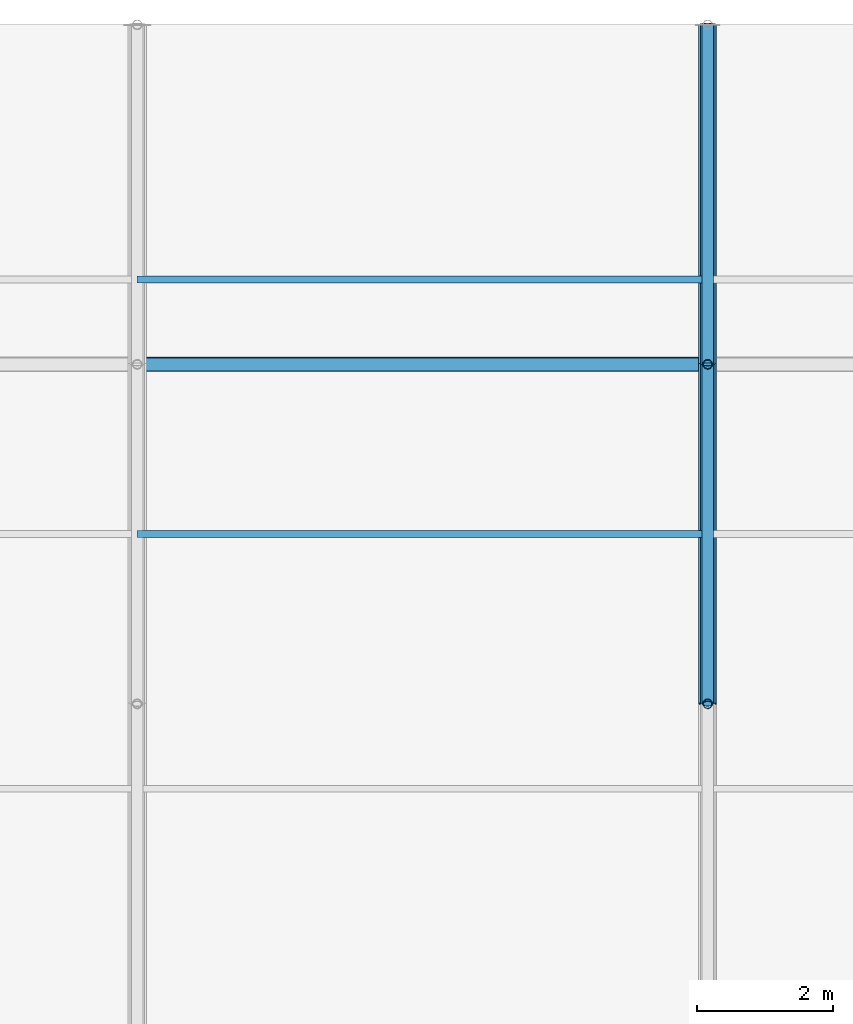
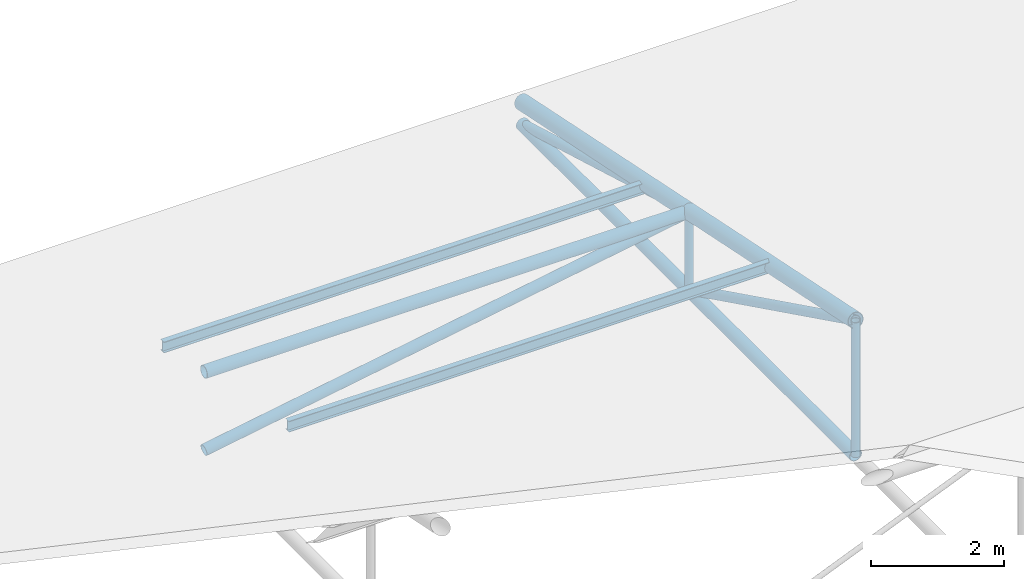
# One storey, part 49 of 194: 10 members, 2 beams.
"""IFC4 building model written with IfcOpenShell, lengths in metres."""

from ifc_helpers import new_model, si_unit, direction, frame, origin, origin_2d, place, context, subcontext, project, spatial, hollow_circle, i_section, extrude, material, material_profile, profile_set, type_object, element, save


model = new_model("IFC4")

# Units and contexts
model_context = context("Model", 3, precision=1e-05, world=origin(), true_north=direction((0.0, 1.0)))
body_context = subcontext(model_context, "Body", "Model", "MODEL_VIEW")
ifc_project = project(units=[si_unit("LENGTHUNIT", "METRE"), si_unit("AREAUNIT", "SQUARE_METRE"), si_unit("VOLUMEUNIT", "CUBIC_METRE"), si_unit("PLANEANGLEUNIT", "RADIAN"), si_unit("MASSUNIT", "GRAM", prefix="KILO")], contexts=[model_context])

# Site, building, storey
site_placement = place(None, origin())
site = spatial("IfcSite", under=ifc_project, at=site_placement, CompositionType="ELEMENT")
building_placement = place(site_placement, origin())
building = spatial("IfcBuilding", under=site, at=building_placement, Name="Kazenagashi Tramway Depot", CompositionType="ELEMENT")
storey_placement = place(building_placement, frame((0.0, 0.0, 23.7)))
storey = spatial("IfcBuildingStorey", under=building, at=storey_placement, Name="ROOF", CompositionType="ELEMENT", Elevation=23.7)

# Beams
ifc_material_1 = material(Name="Steel SN400B", Category="steel")
ifc_material_profile_1 = material_profile(ifc_material_1, i_section(OverallWidth=0.1, OverallDepth=0.2, WebThickness=0.0055, FlangeThickness=0.008, at=origin_2d()), Name="H-200x100x5.5x8")
ifc_profile_set_1 = profile_set([ifc_material_profile_1], Name="Steel SN400B")
beam_type = type_object("IfcBeamType", Name="PR-01", PredefinedType="USERDEFINED", material=ifc_profile_set_1)
for number, where, z_axis, x_axis, name in (
    (1, (78.4, 122.5, -12.13), (1.0, 0.0, 0.0), (0.0, 1.0, 0.0), "Beam PR-01 BM-2202"),
    (2, (78.4, 126.25, -12.955), (1.0, 0.0, 0.0), (0.0, 1.0, 0.0), "Beam PR-01 BM-2220"),
):
    element("IfcBeam", number, at=place(storey_placement, frame(where, z_axis=z_axis, x_axis=x_axis)), inside=storey, type_object=beam_type, Name=name, ObjectType="PURLIN", PredefinedType="USERDEFINED", context=body_context, shape_type="SweptSolid", body=[
        extrude(i_section(OverallWidth=0.1, OverallDepth=0.2, WebThickness=0.0055, FlangeThickness=0.008, at=origin_2d()), origin(), (0.0, 0.0, 1.0), 8.4),
    ])

# Members
ifc_material_2 = material(Name="Steel STK490", Category="steel")
ifc_material_profile_2 = material_profile(ifc_material_2, hollow_circle(Radius=0.1337, WallThickness=0.0093, at=origin_2d()), Name="CHS-267.4x9.3")
ifc_profile_set_2 = profile_set([ifc_material_profile_2], Name="Steel STK490")
member_type_1 = type_object("IfcMemberType", Name="TC-01", PredefinedType="CHORD", material=ifc_profile_set_2)
member_1_placement = place(storey_placement, frame((86.8, 120.0, -11.633), z_axis=(0.0, 0.979279174591, -0.202514933305), x_axis=(-1.0, 0.0, 0.0)))
element("IfcMember", 3, at=member_1_placement, inside=storey, type_object=member_type_1, Name="Tubular Space Frame TC-01 MEM-0349", PredefinedType="CHORD", context=body_context, shape_type="SweptSolid", body=[
    extrude(hollow_circle(Radius=0.1337, WallThickness=0.0093, at=origin_2d()), origin(), (0.0, 0.0, 1.0), 5.105796),
])
member_2_placement = place(storey_placement, frame((86.8, 125.0, -12.667), z_axis=(0.0, 0.979317999984, -0.202327098797), x_axis=(-1.0, 0.0, 0.0)))
element("IfcMember", 4, at=member_2_placement, inside=storey, type_object=member_type_1, Name="Tubular Space Frame TC-01 MEM-0352", PredefinedType="CHORD", context=body_context, shape_type="SweptSolid", body=[
    extrude(hollow_circle(Radius=0.1337, WallThickness=0.0093, at=origin_2d()), origin(), (0.0, 0.0, 1.0), 5.105594),
])
ifc_material_profile_3 = material_profile(ifc_material_2, hollow_circle(Radius=0.10815, WallThickness=0.0082, at=origin_2d()), Name="CHS-216.3x8.2")
ifc_profile_set_3 = profile_set([ifc_material_profile_3], Name="Steel STK490")
member_type_2 = type_object("IfcMemberType", Name="TC-02", PredefinedType="CHORD", material=ifc_profile_set_3)
member_3_placement = place(storey_placement, frame((78.4, 125.0, -12.667), z_axis=(1.0, 0.0, 0.0), x_axis=(0.0, 1.0, 0.0)))
element("IfcMember", 5, at=member_3_placement, inside=storey, type_object=member_type_2, Name="Tubular Space Frame TC-02 MEM-0304", PredefinedType="CHORD", context=body_context, shape_type="SweptSolid", body=[
    extrude(hollow_circle(Radius=0.10815, WallThickness=0.0082, at=origin_2d()), origin(), (0.0, 0.0, 1.0), 8.4),
])
for number, where, z_axis, x_axis, name in (
    (6, (86.8, 120.0, -14.1), (0.0, 1.0, 0.0), (-1.0, 0.0, 0.0), "Tubular Space Frame TC-02 MEM-0350"),
    (7, (86.8, 125.0, -14.1), (0.0, 1.0, 0.0), (-1.0, 0.0, 0.0), "Tubular Space Frame TC-02 MEM-0353"),
):
    element("IfcMember", number, at=place(storey_placement, frame(where, z_axis=z_axis, x_axis=x_axis)), inside=storey, type_object=member_type_2, Name=name, PredefinedType="CHORD", context=body_context, shape_type="SweptSolid", body=[
        extrude(hollow_circle(Radius=0.10815, WallThickness=0.0082, at=origin_2d()), origin(), (0.0, 0.0, 1.0), 5.0),
    ])
ifc_material_profile_4 = material_profile(ifc_material_2, hollow_circle(Radius=0.0826, WallThickness=0.0071, at=origin_2d()), Name="CHS-165.2x7.1")
ifc_profile_set_4 = profile_set([ifc_material_profile_4], Name="Steel STK490")
member_type_3 = type_object("IfcMemberType", Name="TS-01", PredefinedType="STRUT", material=ifc_profile_set_4)
member_4_placement = place(storey_placement, frame((86.8, 120.0, -11.633), z_axis=(0.0, 0.896782162482, -0.442472318969), x_axis=(-1.0, 0.0, 0.0)))
element("IfcMember", 8, at=member_4_placement, inside=storey, type_object=member_type_3, Name="Tubular Space Frame TS-01 MEM-0351", PredefinedType="STRUT", context=body_context, shape_type="SweptSolid", body=[
    extrude(hollow_circle(Radius=0.0826, WallThickness=0.0071, at=origin_2d()), origin(), (0.0, 0.0, 1.0), 5.57549),
])
member_5_placement = place(storey_placement, frame((86.8, 125.0, -12.667), z_axis=(0.0, 0.961298717795, -0.27550821252), x_axis=(-1.0, 0.0, 0.0)))
element("IfcMember", 9, at=member_5_placement, inside=storey, type_object=member_type_3, Name="Tubular Space Frame TS-01 MEM-0354", PredefinedType="STRUT", context=body_context, shape_type="SweptSolid", body=[
    extrude(hollow_circle(Radius=0.0826, WallThickness=0.0071, at=origin_2d()), origin(), (0.0, 0.0, 1.0), 5.201297),
])
ifc_material_profile_5 = material_profile(ifc_material_2, hollow_circle(Radius=0.0699, WallThickness=0.0066, at=origin_2d()), Name="CHS-139.8x6.6")
ifc_profile_set_5 = profile_set([ifc_material_profile_5], Name="Steel STK490")
member_type_4 = type_object("IfcMemberType", Name="TS-02", PredefinedType="STRUT", material=ifc_profile_set_5)
member_6_placement = place(storey_placement, frame((86.8, 120.0, -14.1), z_axis=(0.0, 0.0, 1.0), x_axis=(1.0, 0.0, 0.0)))
element("IfcMember", 10, at=member_6_placement, inside=storey, type_object=member_type_4, Name="Tubular Space Frame TS-02 MEM-0358", PredefinedType="STRUT", context=body_context, shape_type="SweptSolid", body=[
    extrude(hollow_circle(Radius=0.0699, WallThickness=0.0066, at=origin_2d()), origin(), (0.0, 0.0, 1.0), 2.467),
])
member_7_placement = place(storey_placement, frame((86.8, 125.0, -14.1), z_axis=(0.0, 0.0, 1.0), x_axis=(1.0, 0.0, 0.0)))
element("IfcMember", 11, at=member_7_placement, inside=storey, type_object=member_type_4, Name="Tubular Space Frame TS-02 MEM-0359", PredefinedType="STRUT", context=body_context, shape_type="SweptSolid", body=[
    extrude(hollow_circle(Radius=0.0699, WallThickness=0.0066, at=origin_2d()), origin(), (0.0, 0.0, 1.0), 1.433),
])
ifc_material_profile_6 = material_profile(ifc_material_2, hollow_circle(Radius=0.09535, WallThickness=0.007, at=origin_2d()), Name="CHS-190.7x7.0")
ifc_profile_set_6 = profile_set([ifc_material_profile_6], Name="Steel STK490")
member_type_5 = type_object("IfcMemberType", Name="TS-05", PredefinedType="STRUT", material=ifc_profile_set_6)
member_8_placement = place(storey_placement, frame((78.4, 125.0, -14.1), z_axis=(0.985758734117, 0.0, 0.168165745951), x_axis=(0.0, 1.0, 0.0)))
element("IfcMember", 12, at=member_8_placement, inside=storey, type_object=member_type_5, Name="Tubular Space Frame TS-05 MEM-0305", PredefinedType="STRUT", context=body_context, shape_type="SweptSolid", body=[
    extrude(hollow_circle(Radius=0.09535, WallThickness=0.007, at=origin_2d()), origin(), (0.0, 0.0, 1.0), 8.521355),
])

save(model, "model.ifc")
